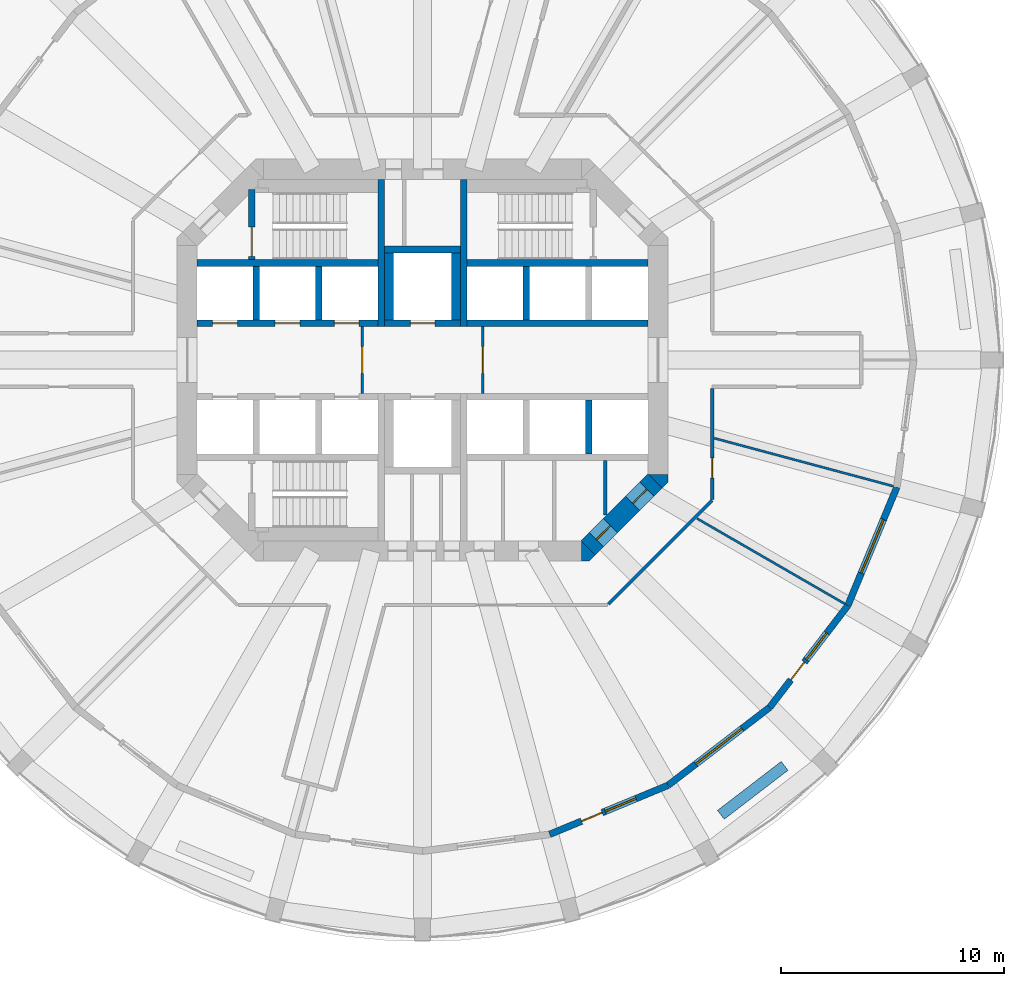
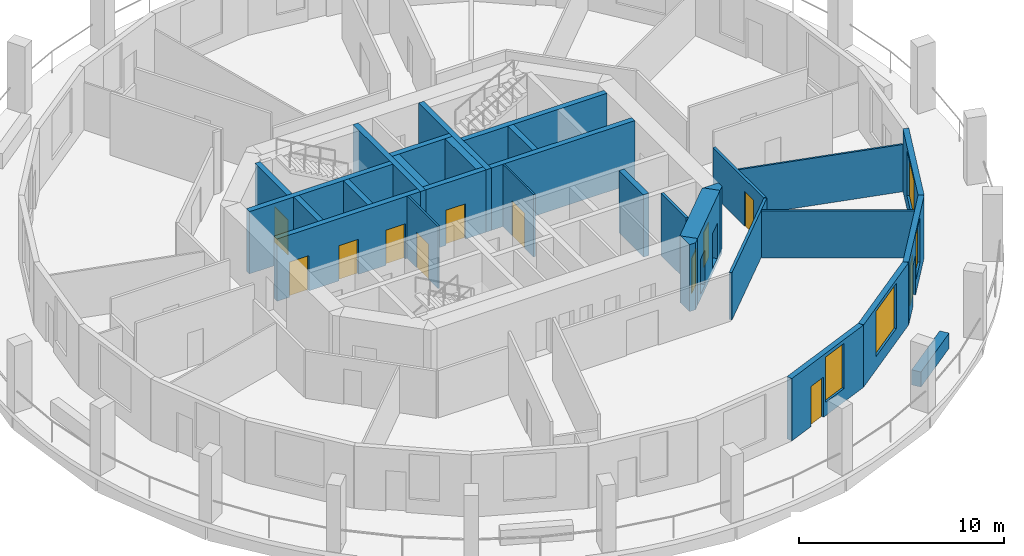
# One storey, part 4 of 9: 30 walls, 12 doors, 4 windows, 16 openings.
"""IFC4 building model written with IfcOpenShell, lengths in metres."""

import ifcopenshell
import ifcopenshell.guid

model = None  # the IFC model being written
_history = None  # IfcOwnerHistory: only IFC2X3 demands one
_inside = {}  # id of a spatial element -> (the spatial element, [elements in it])
_under = {}  # id of a project, library or spatial element -> (it, [spatial elements below it])
_declared = {}  # id of a project -> (the project, [libraries it declares])
_typed = {}  # id of a type object -> (the type object, [elements of that type])
_made_of = {}  # id of a material, layer set ... -> (it, [elements and type objects made of it])


def new_model(schema):
    """Start an empty IFC model of exactly this schema.

    Asked for "IFC4X3", IfcOpenShell would pick the latest addendum, in which some entities
    have other attributes; the version numbers below select the first issue.
    IFC2X3 requires an IfcOwnerHistory on every rooted entity: one is made here for all.
    """
    global model, _history
    if schema == "IFC4X3":
        model = ifcopenshell.file(schema_version=(4, 3, 0, 0))
    else:
        model = ifcopenshell.file(schema=schema)
    _inside.clear()
    _under.clear()
    _declared.clear()
    _typed.clear()
    _made_of.clear()
    _history = None
    if model.schema == "IFC2X3":
        org = make("IfcOrganization", Name="unknown")
        user = make(
            "IfcPersonAndOrganization",
            ThePerson=make("IfcPerson", FamilyName="unknown"),
            TheOrganization=org,
        )
        app = make(
            "IfcApplication",
            ApplicationDeveloper=org,
            Version="unknown",
            ApplicationFullName="unknown",
            ApplicationIdentifier="unknown",
        )
        _history = make(
            "IfcOwnerHistory",
            OwningUser=user,
            OwningApplication=app,
            ChangeAction="ADDED",
            CreationDate=0,
        )
    return model


def make(cls, **values):
    """One entity of the class cls with the attributes given. An attribute that is None is left unset."""
    return model.create_entity(
        cls, **{name: value for name, value in values.items() if value is not None}
    )


def rooted(cls, **values):
    """An entity with a GlobalId (a new one), such as an element, a storey or a relation."""
    return make(cls, GlobalId=ifcopenshell.guid.new(), OwnerHistory=_history, **values)


def si_unit(unit_type, name, prefix=None):
    """IfcSIUnit, for example si_unit("LENGTHUNIT", "METRE", prefix="MILLI")."""
    return make("IfcSIUnit", UnitType=unit_type, Prefix=prefix, Name=name)


def assignment(units):
    """IfcUnitAssignment: the units of a project."""
    return None if units is None else make("IfcUnitAssignment", Units=units)


def point(xyz):
    """IfcCartesianPoint."""
    return None if xyz is None else make("IfcCartesianPoint", Coordinates=xyz)


def direction(xyz):
    """IfcDirection."""
    return None if xyz is None else make("IfcDirection", DirectionRatios=xyz)


def frame(location, z_axis=None, x_axis=None):
    """IfcAxis2Placement3D, a coordinate frame: its origin and axes. An axis left out is left unset."""
    return make(
        "IfcAxis2Placement3D",
        Location=point(location),
        Axis=direction(z_axis),
        RefDirection=direction(x_axis),
    )


def frame_2d(location, x_axis=None):
    """IfcAxis2Placement2D, a coordinate frame in the plane: its origin and x axis."""
    return make(
        "IfcAxis2Placement2D", Location=point(location), RefDirection=direction(x_axis)
    )


def origin():
    """The frame at (0, 0, 0) with its axes left unset."""
    return frame((0.0, 0.0, 0.0))


def place(relative_to, where):
    """IfcLocalPlacement: puts the frame where relative to a parent placement (None: the world)."""
    return make(
        "IfcLocalPlacement", PlacementRelTo=relative_to, RelativePlacement=where
    )


def context(
    kind, dimensions, precision=None, world=None, true_north=None, identifier=None
):
    """IfcGeometricRepresentationContext, for example the 3D "Model" context."""
    return make(
        "IfcGeometricRepresentationContext",
        ContextIdentifier=identifier,
        ContextType=kind,
        CoordinateSpaceDimension=dimensions,
        Precision=precision,
        WorldCoordinateSystem=world,
        TrueNorth=true_north,
    )


def subcontext(parent, identifier, kind, view, scale=None):
    """IfcGeometricRepresentationSubContext, for example "Body" below "Model"."""
    return make(
        "IfcGeometricRepresentationSubContext",
        ContextIdentifier=identifier,
        ContextType=kind,
        ParentContext=parent,
        TargetScale=scale,
        TargetView=view,
    )


def project(units=None, contexts=None):
    """IfcProject with its units and contexts."""
    return rooted(
        "IfcProject",
        Name="project",
        RepresentationContexts=contexts,
        UnitsInContext=assignment(units),
    )


def spatial(cls, under=None, at=None, **own):
    """A site, building, storey or space (cls), placed at a placement, below another one or the project."""
    s = rooted(cls, ObjectPlacement=at, **own)
    if under is not None:
        _under.setdefault(under.id(), (under, []))[1].append(s)
    return s


def polyline(points):
    """IfcPolyline through the points."""
    return make("IfcPolyline", Points=[point(p) for p in points])


def profile(cls, at=None, kind="AREA", **sizes):
    """A parametric profile (cls). Its sizes go by their IFC names, for example OverallWidth=200.0."""
    return make(cls, ProfileType=kind, Position=at, **sizes)


def rectangle(**sizes):
    """IfcRectangleProfileDef."""
    return profile("IfcRectangleProfileDef", **sizes)


def outline(outer, holes=None, kind="AREA"):
    """IfcArbitraryClosedProfileDef: a profile drawn as a closed curve; with holes, ...WithVoids."""
    if holes is None:
        return make("IfcArbitraryClosedProfileDef", ProfileType=kind, OuterCurve=outer)
    return make(
        "IfcArbitraryProfileDefWithVoids",
        ProfileType=kind,
        OuterCurve=outer,
        InnerCurves=holes,
    )


def extrude(swept, where, along, depth):
    """IfcExtrudedAreaSolid: the profile swept, set in the frame where, extruded along a direction by depth."""
    return make(
        "IfcExtrudedAreaSolid",
        SweptArea=swept,
        Position=where,
        ExtrudedDirection=direction(along),
        Depth=depth,
    )


def shape(context_of_items, identifier, shape_type, items):
    """IfcShapeRepresentation: the items that make up one representation, for example the "Body"."""
    return make(
        "IfcShapeRepresentation",
        ContextOfItems=context_of_items,
        RepresentationIdentifier=identifier,
        RepresentationType=shape_type,
        Items=items,
    )


def material(Name=None, Category=None):
    """IfcMaterial."""
    return make("IfcMaterial", Name=Name, Category=Category)


def layer(
    of_material, thickness, ventilated=None, Name=None, Category=None, Priority=None
):
    """IfcMaterialLayer: one layer of a wall or slab, of a material (None: an air gap)."""
    return make(
        "IfcMaterialLayer",
        Material=of_material,
        LayerThickness=thickness,
        IsVentilated=ventilated,
        Name=Name,
        Category=Category,
        Priority=Priority,
    )


def layer_set(layers, Name=None):
    """IfcMaterialLayerSet."""
    return make("IfcMaterialLayerSet", MaterialLayers=layers, LayerSetName=Name)


def made_of(thing, what):
    """Note that an element or type object is made of a material, layer set ...; save() writes the relation."""
    if what is not None:
        _made_of.setdefault(what.id(), (what, []))[1].append(thing)
    return thing


def type_object(cls, material=None, **own):
    """A type object (cls), such as IfcWallType, which elements share."""
    return made_of(rooted(cls, **own), material)


def element(
    cls,
    number,
    at=None,
    inside=None,
    cuts=None,
    type_object=None,
    material=None,
    context=None,
    identifier="Body",
    shape_type=None,
    held_by="IfcProductDefinitionShape",
    body=None,
    shapes=None,
    **own,
):
    """One element of the class cls, such as IfcWall. Its Tag is "e" and its number.

    at: its placement. inside: the storey or other place that contains it. cuts: it is an
    opening in that element (IfcRelVoidsElement). A single representation is given by context,
    identifier, shape_type and body (its items); several are given by shapes. held_by: the class
    of the entity that holds the representations. save() writes the other relations.
    """
    e = rooted(cls, Tag="e%d" % number, ObjectPlacement=at, **own)
    if body is not None:
        shapes = [shape(context, identifier, shape_type, body)]
    if shapes is not None:
        e.Representation = make(held_by, Representations=shapes)
    if inside is not None:
        _inside.setdefault(inside.id(), (inside, []))[1].append(e)
    if cuts is not None:
        rooted(
            "IfcRelVoidsElement", RelatingBuildingElement=cuts, RelatedOpeningElement=e
        )
    if type_object is not None:
        _typed.setdefault(type_object.id(), (type_object, []))[1].append(e)
    return made_of(e, material)


def fill(opening, filler):
    """IfcRelFillsElement: the door or window that sits in an opening."""
    return rooted(
        "IfcRelFillsElement",
        RelatingOpeningElement=opening,
        RelatedBuildingElement=filler,
    )


def aggregate(whole, parts):
    """IfcRelAggregates: a whole, such as a stair, and the parts it consists of."""
    return rooted("IfcRelAggregates", RelatingObject=whole, RelatedObjects=parts)


def save(model, path):
    """Write the relations noted so far, then the file.

    IfcRelAggregates (storeys below a building ...), IfcRelContainedInSpatialStructure (elements
    in a storey), IfcRelDefinesByType, IfcRelAssociatesMaterial and IfcRelDeclares: one each for
    every whole, place, type object, material and project.
    """
    for whole, parts in _under.values():
        aggregate(whole, parts)
    for where, things in _inside.values():
        rooted(
            "IfcRelContainedInSpatialStructure",
            RelatedElements=things,
            RelatingStructure=where,
        )
    for kind, things in _typed.values():
        rooted("IfcRelDefinesByType", RelatedObjects=things, RelatingType=kind)
    for what, things in _made_of.values():
        rooted("IfcRelAssociatesMaterial", RelatedObjects=things, RelatingMaterial=what)
    for by, libraries in _declared.values():
        rooted("IfcRelDeclares", RelatingContext=by, RelatedDefinitions=libraries)
    model.write(path)


model = new_model("IFC4")

# Units and contexts
model_context = context("Model", 3, precision=1e-05, world=origin(), true_north=direction((0.0, 1.0)))
body_context = subcontext(model_context, "Body", "Model", "MODEL_VIEW")
ifc_project = project(units=[si_unit("LENGTHUNIT", "METRE"), si_unit("AREAUNIT", "SQUARE_METRE"), si_unit("VOLUMEUNIT", "CUBIC_METRE"), si_unit("PLANEANGLEUNIT", "RADIAN"), si_unit("MASSUNIT", "GRAM", prefix="KILO")], contexts=[model_context])

# Site, building, storey
site_placement = place(None, origin())
site = spatial("IfcSite", under=ifc_project, at=site_placement, CompositionType="ELEMENT")
building_placement = place(site_placement, origin())
building = spatial("IfcBuilding", under=site, at=building_placement, Name="Torre Triforio", CompositionType="ELEMENT")
storey_placement = place(building_placement, frame((0.0, 0.0, 102.60009765625)))
storey = spatial("IfcBuildingStorey", under=building, at=storey_placement, Name="L22", CompositionType="ELEMENT", Elevation=102.60009765625)

# Walls
ifc_material_1 = material(Name="Concrete C60", Category="concrete")
ifc_layer_1 = layer(ifc_material_1, 0.300048828125)
ifc_layer_set_1 = layer_set([ifc_layer_1], Name="Concrete C60")
wall_type_1 = type_object("IfcWallType", Name="Core wall 300 mm C60 EI 120", PredefinedType="SHEAR", material=ifc_layer_set_1)
for number, where, z_axis, x_axis, name in (
    (1, (-1.85009765625, 1.5, 0.0), (0.0, 0.0, 1.0), (0.0, 1.0, 0.0), "Core wall"),
    (2, (1.85009765625, 1.5, 0.0), (0.0, 0.0, 1.0), (0.0, 1.0, 0.0), "Core wall"),
):
    element("IfcWall", number, at=place(storey_placement, frame(where, z_axis=z_axis, x_axis=x_axis)), inside=storey, type_object=wall_type_1, Name=name, PredefinedType="SHEAR", context=body_context, shape_type="SweptSolid", body=[
        extrude(rectangle(XDim=6.60009765625, YDim=0.300048828125, at=frame_2d((3.300048828125, 0.0))), origin(), (0.0, 0.0, 1.0), 3.719970703125),
    ])

# Wall, openings, doors
ifc_layer_2 = layer(ifc_material_1, 0.89990234375)
ifc_layer_set_2 = layer_set([ifc_layer_2], Name="Concrete C60")
wall_type_2 = type_object("IfcWallType", Name="Core wall 900 mm C60 EI 120", PredefinedType="SHEAR", material=ifc_layer_set_2)
wall_1_placement = place(storey_placement, frame((10.418212890625, -5.418212890625, -0.280029296875), z_axis=(0.0, 0.0, 1.0), x_axis=(-0.707106781187, -0.707106781187, 0.0)))
wall_1 = element("IfcWall", 3, at=wall_1_placement, inside=storey, type_object=wall_type_2, Name="Core wall", PredefinedType="SHEAR", context=body_context, shape_type="SweptSolid", body=[
    extrude(rectangle(XDim=4.24267578125, YDim=0.89990234375, at=frame_2d((2.121337890625, 0.0))), origin(), (0.0, 0.0, 1.0), 4.0),
])
opening_1_placement = place(wall_1_placement, frame((2.82275390625, 0.0, 0.280029296875)))
opening_1 = element("IfcOpeningElement", 4, at=opening_1_placement, cuts=wall_1, Name="Opening SE-03", PredefinedType="OPENING", context=body_context, shape_type="SweptSolid", body=[
    extrude(rectangle(XDim=0.89990234375, YDim=2.10009765625, at=frame_2d((0.449951171875, 1.050048828125))), frame((0.0, 0.4599609375, 0.0), z_axis=(0.0, -1.0, 0.0), x_axis=(1.0, 0.0, 0.0)), (0.0, 0.0, 1.0), 0.919921875),
])
opening_2_placement = place(wall_1_placement, frame((0.52001953125, 0.0, 0.280029296875)))
opening_2 = element("IfcOpeningElement", 5, at=opening_2_placement, cuts=wall_1, Name="Opening SE-04", PredefinedType="OPENING", context=body_context, shape_type="SweptSolid", body=[
    extrude(rectangle(XDim=0.89990234375, YDim=2.10009765625, at=frame_2d((0.449951171875, 1.050048828125))), frame((0.0, 0.4599609375, 0.0), z_axis=(0.0, -1.0, 0.0), x_axis=(1.0, 0.0, 0.0)), (0.0, 0.0, 1.0), 0.919921875),
])
ifc_material_2 = material(Name="Hollow metal fire door leaf")
door_type_1 = type_object("IfcDoorType", Name="Room door 900 x 2100 EI 60", OperationType="NOTDEFINED", PredefinedType="DOOR", material=ifc_material_2)
door_1_placement = place(opening_1_placement, origin())
door_1 = element("IfcDoor", 6, at=door_1_placement, inside=storey, type_object=door_type_1, Name="Core door SE-03", OperationType="SINGLE_SWING_RIGHT", OverallHeight=2.10009765625, OverallWidth=0.89990234375, PredefinedType="DOOR", context=body_context, shape_type="SweptSolid", body=[
    extrude(rectangle(XDim=0.89990234375, YDim=2.10009765625, at=frame_2d((0.449951171875, 1.050048828125))), frame((0.0, 0.02490234375, 0.0), z_axis=(0.0, -1.0, 0.0), x_axis=(1.0, 0.0, 0.0)), (0.0, 0.0, 1.0), 0.050048828125),
])
fill(opening_1, door_1)
door_2_placement = place(opening_2_placement, origin())
door_2 = element("IfcDoor", 7, at=door_2_placement, inside=storey, type_object=door_type_1, Name="Core door SE-04", OperationType="SINGLE_SWING_LEFT", OverallHeight=2.10009765625, OverallWidth=0.89990234375, PredefinedType="DOOR", context=body_context, shape_type="SweptSolid", body=[
    extrude(rectangle(XDim=0.89990234375, YDim=2.10009765625, at=frame_2d((0.449951171875, 1.050048828125))), frame((0.0, 0.02490234375, 0.0), z_axis=(0.0, -1.0, 0.0), x_axis=(1.0, 0.0, 0.0)), (0.0, 0.0, 1.0), 0.050048828125),
])
fill(opening_2, door_2)

# Walls
wall_2_placement = place(storey_placement, frame((0.0, 0.0, -0.280029296875)))
element("IfcWall", 8, at=wall_2_placement, inside=storey, type_object=wall_type_2, Name="Core wall", PredefinedType="SHEAR", context=body_context, shape_type="SweptSolid", body=[
    extrude(outline(polyline([(7.472900390625, -9.0), (7.1298828125, -9.0), (7.1298828125, -8.1298828125), (7.736328125, -8.736328125), (7.472900390625, -9.0)])), origin(), (0.0, 0.0, 1.0), 4.0),
])
wall_3_placement = place(storey_placement, frame((0.0, 0.0, -0.280029296875)))
element("IfcWall", 9, at=wall_3_placement, inside=storey, type_object=wall_type_2, Name="Core wall", PredefinedType="SHEAR", context=body_context, shape_type="SweptSolid", body=[
    extrude(outline(polyline([(11.0, -5.472900390625), (10.736328125, -5.736328125), (10.1298828125, -5.1298828125), (11.0, -5.1298828125), (11.0, -5.472900390625)])), origin(), (0.0, 0.0, 1.0), 4.0),
])

# Wall, opening, door
ifc_material_3 = material(Name="Plasterboard on metal studs")
ifc_layer_3 = layer(ifc_material_3, 0.14990234375)
ifc_layer_set_3 = layer_set([ifc_layer_3], Name="Plasterboard on metal studs")
wall_type_3 = type_object("IfcWallType", Name="Corridor and tenancy wall 150 mm EI 60", PredefinedType="PARTITIONING", material=ifc_layer_set_3)
wall_4_placement = place(storey_placement, frame((12.97509765625, -1.27490234375, 0.0), z_axis=(0.0, 0.0, 1.0), x_axis=(0.0, -1.0, 0.0)))
wall_4 = element("IfcWall", 10, at=wall_4_placement, inside=storey, type_object=wall_type_3, Name="Partition 24", PredefinedType="PARTITIONING", context=body_context, shape_type="SweptSolid", body=[
    extrude(rectangle(XDim=4.96337890625, YDim=0.14990234375, at=frame_2d((2.481689453125, 0.0))), origin(), (0.0, 0.0, 1.0), 2.81982421875),
])
opening_3_placement = place(wall_4_placement, frame((3.107421875, 0.0, 0.0)))
opening_3 = element("IfcOpeningElement", 11, at=opening_3_placement, cuts=wall_4, Name="Opening N7-07", PredefinedType="OPENING", context=body_context, shape_type="SweptSolid", body=[
    extrude(rectangle(XDim=0.89990234375, YDim=2.10009765625, at=frame_2d((0.449951171875, 1.050048828125))), frame((0.0, 0.0849609375, 0.0), z_axis=(0.0, -1.0, 0.0), x_axis=(1.0, 0.0, 0.0)), (0.0, 0.0, 1.0), 0.169921875),
])
ifc_material_4 = material(Name="Timber", Category="wood")
door_type_2 = type_object("IfcDoorType", Name="Door 900 x 2100 single leaf EI 30", OperationType="NOTDEFINED", PredefinedType="DOOR", material=ifc_material_4)
door_3_placement = place(opening_3_placement, origin())
door_3 = element("IfcDoor", 12, at=door_3_placement, inside=storey, type_object=door_type_2, Name="Door N7-07", OperationType="SINGLE_SWING_LEFT", OverallHeight=2.10009765625, OverallWidth=0.89990234375, PredefinedType="DOOR", context=body_context, shape_type="SweptSolid", body=[
    extrude(rectangle(XDim=0.89990234375, YDim=2.10009765625, at=frame_2d((0.449951171875, 1.050048828125))), frame((0.0, 0.02490234375, 0.0), z_axis=(0.0, -1.0, 0.0), x_axis=(1.0, 0.0, 0.0)), (0.0, 0.0, 1.0), 0.050048828125),
])
fill(opening_3, door_3)

# Wall
wall_5_placement = place(storey_placement, frame((12.97509765625, -6.291015625, 0.0), z_axis=(0.0, 0.0, 1.0), x_axis=(-0.707125355289, -0.707088206597, 0.0)))
element("IfcWall", 13, at=wall_5_placement, inside=storey, type_object=wall_type_3, Name="Partition 25", PredefinedType="PARTITIONING", context=body_context, shape_type="SweptSolid", body=[
    extrude(rectangle(XDim=6.572021484375, YDim=0.14990234375, at=frame_2d((3.2861328125, 0.0))), origin(), (0.0, 0.0, 1.0), 2.81982421875),
])

# Wall, opening, door
ifc_material_5 = material(Name="Block and board partition")
ifc_layer_4 = layer(ifc_material_5, 0.10009765625)
ifc_layer_set_4 = layer_set([ifc_layer_4], Name="Block and board partition")
wall_type_4 = type_object("IfcWallType", Name="Partition 100 mm EI 120", PredefinedType="PARTITIONING", material=ifc_layer_set_4)
wall_6_placement = place(storey_placement, frame((-2.699951171875, -1.5, 0.0), z_axis=(0.0, 0.0, 1.0), x_axis=(0.0, 1.0, 0.0)))
wall_6 = element("IfcWall", 14, at=wall_6_placement, inside=storey, type_object=wall_type_4, Name="Partition", PredefinedType="PARTITIONING", context=body_context, shape_type="SweptSolid", body=[
    extrude(rectangle(XDim=3.0, YDim=0.10009765625, at=frame_2d((1.5, 0.0))), origin(), (0.0, 0.0, 1.0), 3.719970703125),
])
opening_4_placement = place(wall_6_placement, frame((0.89990234375, 0.0, 0.0)))
opening_4 = element("IfcOpeningElement", 15, at=opening_4_placement, cuts=wall_6, Name="Opening FF-W", PredefinedType="OPENING", context=body_context, shape_type="SweptSolid", body=[
    extrude(rectangle(XDim=1.199951171875, YDim=2.10009765625, at=frame_2d((0.60009765625, 1.050048828125))), frame((0.0, 0.06005859375, 0.0), z_axis=(0.0, -1.0, 0.0), x_axis=(1.0, 0.0, 0.0)), (0.0, 0.0, 1.0), 0.1201171875),
])
door_type_3 = type_object("IfcDoorType", Name="Fire-fighting lobby door 1200 x 2100 EI 60", OperationType="NOTDEFINED", PredefinedType="DOOR", material=ifc_material_2)
door_4_placement = place(opening_4_placement, origin())
door_4 = element("IfcDoor", 16, at=door_4_placement, inside=storey, type_object=door_type_3, Name="Core door FF-W", OperationType="SINGLE_SWING_RIGHT", OverallHeight=2.10009765625, OverallWidth=1.199951171875, PredefinedType="DOOR", context=body_context, shape_type="SweptSolid", body=[
    extrude(rectangle(XDim=1.199951171875, YDim=2.10009765625, at=frame_2d((0.60009765625, 1.050048828125))), frame((0.0, 0.02490234375, 0.0), z_axis=(0.0, -1.0, 0.0), x_axis=(1.0, 0.0, 0.0)), (0.0, 0.0, 1.0), 0.050048828125),
])
fill(opening_4, door_4)

wall_7_placement = place(storey_placement, frame((2.699951171875, -1.5, 0.0), z_axis=(0.0, 0.0, 1.0), x_axis=(0.0, 1.0, 0.0)))
wall_7 = element("IfcWall", 17, at=wall_7_placement, inside=storey, type_object=wall_type_4, Name="Partition", PredefinedType="PARTITIONING", context=body_context, shape_type="SweptSolid", body=[
    extrude(rectangle(XDim=3.0, YDim=0.10009765625, at=frame_2d((1.5, 0.0))), origin(), (0.0, 0.0, 1.0), 3.719970703125),
])
opening_5_placement = place(wall_7_placement, frame((0.89990234375, 0.0, 0.0)))
opening_5 = element("IfcOpeningElement", 18, at=opening_5_placement, cuts=wall_7, Name="Opening FF-E", PredefinedType="OPENING", context=body_context, shape_type="SweptSolid", body=[
    extrude(rectangle(XDim=1.199951171875, YDim=2.10009765625, at=frame_2d((0.60009765625, 1.050048828125))), frame((0.0, 0.06005859375, 0.0), z_axis=(0.0, -1.0, 0.0), x_axis=(1.0, 0.0, 0.0)), (0.0, 0.0, 1.0), 0.1201171875),
])
door_5_placement = place(opening_5_placement, origin())
door_5 = element("IfcDoor", 19, at=door_5_placement, inside=storey, type_object=door_type_3, Name="Core door FF-E", OperationType="SINGLE_SWING_RIGHT", OverallHeight=2.10009765625, OverallWidth=1.199951171875, PredefinedType="DOOR", context=body_context, shape_type="SweptSolid", body=[
    extrude(rectangle(XDim=1.199951171875, YDim=2.10009765625, at=frame_2d((0.60009765625, 1.050048828125))), frame((0.0, 0.02490234375, 0.0), z_axis=(0.0, -1.0, 0.0), x_axis=(1.0, 0.0, 0.0)), (0.0, 0.0, 1.0), 0.050048828125),
])
fill(opening_5, door_5)

# Walls
ifc_layer_5 = layer(ifc_material_3, 0.10009765625)
ifc_layer_set_5 = layer_set([ifc_layer_5], Name="Plasterboard on metal studs")
wall_type_5 = type_object("IfcWallType", Name="Partition 100 mm board on metal studs", PredefinedType="PARTITIONING", material=ifc_layer_set_5)
wall_8_placement = place(storey_placement, frame((12.294189453125, -7.097900390625, 0.0), z_axis=(0.0, 0.0, 1.0), x_axis=(0.866010520791, -0.500025777215, 0.0)))
element("IfcWall", 20, at=wall_8_placement, inside=storey, type_object=wall_type_5, Name="Partition 43", PredefinedType="PARTITIONING", context=body_context, shape_type="SweptSolid", body=[
    extrude(rectangle(XDim=7.640625, YDim=0.10009765625, at=frame_2d((3.8203125, 0.0))), origin(), (0.0, 0.0, 1.0), 2.81982421875),
])
wall_9_placement = place(storey_placement, frame((13.064208984375, -3.50048828125, 0.0), z_axis=(0.0, 0.0, 1.0), x_axis=(0.965920254223, -0.258839839442, 0.0)))
element("IfcWall", 21, at=wall_9_placement, inside=storey, type_object=wall_type_5, Name="Partition 44", PredefinedType="PARTITIONING", context=body_context, shape_type="SweptSolid", body=[
    extrude(rectangle(XDim=8.3115234375, YDim=0.10009765625, at=frame_2d((4.15576171875, 0.0))), origin(), (0.0, 0.0, 1.0), 2.81982421875),
])
ifc_layer_6 = layer(ifc_material_5, 0.14990234375)
ifc_layer_set_6 = layer_set([ifc_layer_6], Name="Block and board partition")
wall_type_6 = type_object("IfcWallType", Name="Partition 150 mm", PredefinedType="PARTITIONING", material=ifc_layer_set_6)
wall_10_placement = place(storey_placement, frame((8.18896484375, -6.93603515625, 0.0), z_axis=(0.0, 0.0, 1.0), x_axis=(0.0, 1.0, 0.0)))
element("IfcWall", 22, at=wall_10_placement, inside=storey, type_object=wall_type_6, Name="Partition", PredefinedType="PARTITIONING", context=body_context, shape_type="SweptSolid", body=[
    extrude(rectangle(XDim=2.43603515625, YDim=0.14990234375, at=frame_2d((1.218017578125, 0.0))), origin(), (0.0, 0.0, 1.0), 3.719970703125),
])
ifc_material_6 = material(Name="Limestone cladding", Category="masonry")
ifc_layer_7 = layer(ifc_material_6, 0.10009765625)
ifc_material_7 = material(Name="Concrete C40", Category="concrete")
ifc_layer_8 = layer(ifc_material_7, 0.39990234375)
ifc_layer_set_7 = layer_set([ifc_layer_7, ifc_layer_8], Name="Limestone cladding / Concrete C40")
wall_type_7 = type_object("IfcWallType", Name="Planter wall 500", PredefinedType="PARAPET", material=ifc_layer_set_7)
wall_11_placement = place(storey_placement, frame((13.364990234375, -20.374267578125, 0.0), z_axis=(0.0, 0.0, 1.0), x_axis=(0.793326845617, 0.608795955984, 0.0)))
element("IfcWall", 23, at=wall_11_placement, inside=storey, type_object=wall_type_7, Name="Planter L22 bay 21", PredefinedType="PARAPET", context=body_context, shape_type="SweptSolid", body=[
    extrude(rectangle(XDim=3.599853515625, YDim=0.5, at=frame_2d((1.7998046875, 0.0))), origin(), (0.0, 0.0, 1.0), 0.89990234375),
])
ifc_layer_9 = layer(ifc_material_1, 0.300048828125)
ifc_layer_set_8 = layer_set([ifc_layer_9], Name="Concrete C60")
wall_type_8 = type_object("IfcWallType", Name="Shaft wall 300 mm C60 EI 120", PredefinedType="SOLIDWALL", material=ifc_layer_set_8)
for number, where, z_axis, x_axis, name in (
    (24, (-10.10009765625, 4.35009765625, 0.0), (0.0, 0.0, 1.0), (1.0, 0.0, 0.0), "Shaft wall"),
    (25, (2.0, 4.35009765625, 0.0), (0.0, 0.0, 1.0), (1.0, 0.0, 0.0), "Shaft wall"),
):
    element("IfcWall", number, at=place(storey_placement, frame(where, z_axis=z_axis, x_axis=x_axis)), inside=storey, type_object=wall_type_8, Name=name, PredefinedType="SOLIDWALL", context=body_context, shape_type="SweptSolid", body=[
        extrude(rectangle(XDim=8.10009765625, YDim=0.300048828125, at=frame_2d((4.050048828125, 0.0))), origin(), (0.0, 0.0, 1.0), 3.719970703125),
    ])

# Wall, openings, doors
wall_12_placement = place(storey_placement, frame((-10.10009765625, 1.64990234375, 0.0), z_axis=(0.0, 0.0, 1.0), x_axis=(1.0, 0.0, 0.0)))
wall_12 = element("IfcWall", 26, at=wall_12_placement, inside=storey, type_object=wall_type_8, Name="Shaft wall", PredefinedType="SOLIDWALL", context=body_context, shape_type="SweptSolid", body=[
    extrude(rectangle(XDim=8.10009765625, YDim=0.300048828125, at=frame_2d((4.050048828125, 0.0))), origin(), (0.0, 0.0, 1.0), 3.719970703125),
])
opening_6_placement = place(wall_12_placement, frame((0.699951171875, 0.0, 0.0)))
opening_6 = element("IfcOpeningElement", 27, at=opening_6_placement, cuts=wall_12, Name="Opening LD", PredefinedType="OPENING", context=body_context, shape_type="SweptSolid", body=[
    extrude(rectangle(XDim=1.10009765625, YDim=2.10009765625, at=frame_2d((0.550048828125, 1.050048828125))), frame((0.0, 0.159912109375, 0.0), z_axis=(0.0, -1.0, 0.0), x_axis=(1.0, 0.0, 0.0)), (0.0, 0.0, 1.0), 0.320068359375),
])
opening_7_placement = place(wall_12_placement, frame((3.5, 0.0, 0.0)))
opening_7 = element("IfcOpeningElement", 28, at=opening_7_placement, cuts=wall_12, Name="Opening LD", PredefinedType="OPENING", context=body_context, shape_type="SweptSolid", body=[
    extrude(rectangle(XDim=1.10009765625, YDim=2.10009765625, at=frame_2d((0.550048828125, 1.050048828125))), frame((0.0, 0.159912109375, 0.0), z_axis=(0.0, -1.0, 0.0), x_axis=(1.0, 0.0, 0.0)), (0.0, 0.0, 1.0), 0.320068359375),
])
opening_8_placement = place(wall_12_placement, frame((6.14990234375, 0.0, 0.0)))
opening_8 = element("IfcOpeningElement", 29, at=opening_8_placement, cuts=wall_12, Name="Opening LD", PredefinedType="OPENING", context=body_context, shape_type="SweptSolid", body=[
    extrude(rectangle(XDim=1.10009765625, YDim=2.10009765625, at=frame_2d((0.550048828125, 1.050048828125))), frame((0.0, 0.159912109375, 0.0), z_axis=(0.0, -1.0, 0.0), x_axis=(1.0, 0.0, 0.0)), (0.0, 0.0, 1.0), 0.320068359375),
])
door_type_4 = type_object("IfcDoorType", Name="Landing door 1100 x 2100 EI 60", OperationType="DOUBLE_DOOR_SLIDING", PredefinedType="DOOR", material=ifc_material_2)
door_6_placement = place(opening_6_placement, origin())
door_6 = element("IfcDoor", 30, at=door_6_placement, inside=storey, type_object=door_type_4, Name="Landing door LR1", OperationType="DOUBLE_DOOR_SLIDING", OverallHeight=2.10009765625, OverallWidth=1.10009765625, PredefinedType="DOOR", context=body_context, shape_type="SweptSolid", body=[
    extrude(rectangle(XDim=1.10009765625, YDim=2.10009765625, at=frame_2d((0.550048828125, 1.050048828125))), frame((0.0, 0.02490234375, 0.0), z_axis=(0.0, -1.0, 0.0), x_axis=(1.0, 0.0, 0.0)), (0.0, 0.0, 1.0), 0.050048828125),
])
fill(opening_6, door_6)
door_7_placement = place(opening_7_placement, origin())
door_7 = element("IfcDoor", 31, at=door_7_placement, inside=storey, type_object=door_type_4, Name="Landing door LR2", OperationType="DOUBLE_DOOR_SLIDING", OverallHeight=2.10009765625, OverallWidth=1.10009765625, PredefinedType="DOOR", context=body_context, shape_type="SweptSolid", body=[
    extrude(rectangle(XDim=1.10009765625, YDim=2.10009765625, at=frame_2d((0.550048828125, 1.050048828125))), frame((0.0, 0.02490234375, 0.0), z_axis=(0.0, -1.0, 0.0), x_axis=(1.0, 0.0, 0.0)), (0.0, 0.0, 1.0), 0.050048828125),
])
fill(opening_7, door_7)
door_8_placement = place(opening_8_placement, origin())
door_8 = element("IfcDoor", 32, at=door_8_placement, inside=storey, type_object=door_type_4, Name="Landing door LR3", OperationType="DOUBLE_DOOR_SLIDING", OverallHeight=2.10009765625, OverallWidth=1.10009765625, PredefinedType="DOOR", context=body_context, shape_type="SweptSolid", body=[
    extrude(rectangle(XDim=1.10009765625, YDim=2.10009765625, at=frame_2d((0.550048828125, 1.050048828125))), frame((0.0, 0.02490234375, 0.0), z_axis=(0.0, -1.0, 0.0), x_axis=(1.0, 0.0, 0.0)), (0.0, 0.0, 1.0), 0.050048828125),
])
fill(opening_8, door_8)

# Walls
wall_13_placement = place(storey_placement, frame((2.0, 1.64990234375, 0.0), z_axis=(0.0, 0.0, 1.0), x_axis=(1.0, 0.0, 0.0)))
element("IfcWall", 33, at=wall_13_placement, inside=storey, type_object=wall_type_8, Name="Shaft wall", PredefinedType="SOLIDWALL", context=body_context, shape_type="SweptSolid", body=[
    extrude(rectangle(XDim=8.10009765625, YDim=0.300048828125, at=frame_2d((4.050048828125, 0.0))), origin(), (0.0, 0.0, 1.0), 3.719970703125),
])
for number, where, z_axis, x_axis, name in (
    (34, (-7.449951171875, 1.800048828125, 0.0), (0.0, 0.0, 1.0), (0.0, 1.0, 0.0), "Shaft wall"),
    (35, (-4.64990234375, 1.800048828125, 0.0), (0.0, 0.0, 1.0), (0.0, 1.0, 0.0), "Shaft wall"),
    (36, (4.64990234375, 1.800048828125, 0.0), (0.0, 0.0, 1.0), (0.0, 1.0, 0.0), "Shaft wall"),
    (37, (7.449951171875, -4.199951171875, 0.0), (0.0, 0.0, 1.0), (0.0, 1.0, 0.0), "Shaft wall"),
):
    element("IfcWall", number, at=place(storey_placement, frame(where, z_axis=z_axis, x_axis=x_axis)), inside=storey, type_object=wall_type_8, Name=name, PredefinedType="SOLIDWALL", context=body_context, shape_type="SweptSolid", body=[
        extrude(rectangle(XDim=2.39990234375, YDim=0.300048828125, at=frame_2d((1.199951171875, 0.0))), origin(), (0.0, 0.0, 1.0), 3.719970703125),
    ])

# Wall, opening, door
wall_14_placement = place(storey_placement, frame((-1.699951171875, 1.64990234375, 0.0), z_axis=(0.0, 0.0, 1.0), x_axis=(1.0, 0.0, 0.0)))
wall_14 = element("IfcWall", 38, at=wall_14_placement, inside=storey, type_object=wall_type_8, Name="Shaft wall", PredefinedType="SOLIDWALL", context=body_context, shape_type="SweptSolid", body=[
    extrude(rectangle(XDim=3.39990234375, YDim=0.300048828125, at=frame_2d((1.699951171875, 0.0))), origin(), (0.0, 0.0, 1.0), 3.719970703125),
])
opening_9_placement = place(wall_14_placement, frame((1.14990234375, 0.0, 0.0)))
opening_9 = element("IfcOpeningElement", 39, at=opening_9_placement, cuts=wall_14, Name="Opening LD", PredefinedType="OPENING", context=body_context, shape_type="SweptSolid", body=[
    extrude(rectangle(XDim=1.10009765625, YDim=2.10009765625, at=frame_2d((0.550048828125, 1.050048828125))), frame((0.0, 0.159912109375, 0.0), z_axis=(0.0, -1.0, 0.0), x_axis=(1.0, 0.0, 0.0)), (0.0, 0.0, 1.0), 0.320068359375),
])
door_9_placement = place(opening_9_placement, origin())
door_9 = element("IfcDoor", 40, at=door_9_placement, inside=storey, type_object=door_type_4, Name="Landing door FFL1", OperationType="DOUBLE_DOOR_SLIDING", OverallHeight=2.10009765625, OverallWidth=1.10009765625, PredefinedType="DOOR", context=body_context, shape_type="SweptSolid", body=[
    extrude(rectangle(XDim=1.10009765625, YDim=2.10009765625, at=frame_2d((0.550048828125, 1.050048828125))), frame((0.0, 0.02490234375, 0.0), z_axis=(0.0, -1.0, 0.0), x_axis=(1.0, 0.0, 0.0)), (0.0, 0.0, 1.0), 0.050048828125),
])
fill(opening_9, door_9)

# Walls
wall_15_placement = place(storey_placement, frame((-1.699951171875, 4.949951171875, 0.0), z_axis=(0.0, 0.0, 1.0), x_axis=(1.0, 0.0, 0.0)))
element("IfcWall", 41, at=wall_15_placement, inside=storey, type_object=wall_type_8, Name="Shaft wall", PredefinedType="SOLIDWALL", context=body_context, shape_type="SweptSolid", body=[
    extrude(rectangle(XDim=3.39990234375, YDim=0.300048828125, at=frame_2d((1.699951171875, 0.0))), origin(), (0.0, 0.0, 1.0), 3.719970703125),
])
ifc_layer_10 = layer(ifc_material_1, 0.39990234375)
ifc_layer_set_9 = layer_set([ifc_layer_10], Name="Concrete C60")
wall_type_9 = type_object("IfcWallType", Name="Shaft wall 400 mm C60 EI 120", PredefinedType="SOLIDWALL", material=ifc_layer_set_9)
for number, where, z_axis, x_axis, name in (
    (42, (-1.5, 1.800048828125, 0.0), (0.0, 0.0, 1.0), (0.0, 1.0, 0.0), "Shaft wall"),
    (43, (1.5, 1.800048828125, 0.0), (0.0, 0.0, 1.0), (0.0, 1.0, 0.0), "Shaft wall"),
):
    element("IfcWall", number, at=place(storey_placement, frame(where, z_axis=z_axis, x_axis=x_axis)), inside=storey, type_object=wall_type_9, Name=name, PredefinedType="SOLIDWALL", context=body_context, shape_type="SweptSolid", body=[
        extrude(rectangle(XDim=3.0, YDim=0.39990234375, at=frame_2d((1.5, 0.0))), origin(), (0.0, 0.0, 1.0), 3.719970703125),
    ])

# Wall, opening, door
ifc_layer_11 = layer(ifc_material_1, 0.300048828125)
ifc_layer_set_10 = layer_set([ifc_layer_11], Name="Concrete C60")
wall_type_10 = type_object("IfcWallType", Name="Stair wall 300 mm C60 EI 120", PredefinedType="SHEAR", material=ifc_layer_set_10)
wall_16_placement = place(storey_placement, frame((-7.64990234375, 4.5, 0.0), z_axis=(0.0, 0.0, 1.0), x_axis=(0.0, 1.0, 0.0)))
wall_16 = element("IfcWall", 44, at=wall_16_placement, inside=storey, type_object=wall_type_10, Name="Stair wall", PredefinedType="SHEAR", context=body_context, shape_type="SweptSolid", body=[
    extrude(rectangle(XDim=3.139892578125, YDim=0.300048828125, at=frame_2d((1.56982421875, 0.0))), origin(), (0.0, 0.0, 1.0), 3.719970703125),
])
opening_10_placement = place(wall_16_placement, frame((0.139892578125, 0.0, 0.0)))
opening_10 = element("IfcOpeningElement", 45, at=opening_10_placement, cuts=wall_16, Name="Opening ST1-STA", PredefinedType="OPENING", context=body_context, shape_type="SweptSolid", body=[
    extrude(rectangle(XDim=1.320068359375, YDim=2.10009765625, at=frame_2d((0.66015625, 1.050048828125))), frame((0.0, 0.159912109375, 0.0), z_axis=(0.0, -1.0, 0.0), x_axis=(1.0, 0.0, 0.0)), (0.0, 0.0, 1.0), 0.320068359375),
])
door_type_5 = type_object("IfcDoorType", Name="Stair door 1320 x 2100 EI 90", OperationType="DOUBLE_DOOR_SINGLE_SWING", PredefinedType="DOOR", material=ifc_material_2)
door_10_placement = place(opening_10_placement, origin())
door_10 = element("IfcDoor", 46, at=door_10_placement, inside=storey, type_object=door_type_5, Name="Core door ST1-ST", OperationType="DOUBLE_DOOR_SINGLE_SWING", OverallHeight=2.10009765625, OverallWidth=1.320068359375, PredefinedType="DOOR", context=body_context, shape_type="SweptSolid", body=[
    extrude(rectangle(XDim=1.320068359375, YDim=2.10009765625, at=frame_2d((0.66015625, 1.050048828125))), frame((0.0, 0.02490234375, 0.0), z_axis=(0.0, -1.0, 0.0), x_axis=(1.0, 0.0, 0.0)), (0.0, 0.0, 1.0), 0.050048828125),
])
fill(opening_10, door_10)

# Wall, openings, door, window
ifc_layer_12 = layer(ifc_material_6, 0.10009765625)
ifc_layer_13 = layer(ifc_material_7, 0.199951171875)
ifc_layer_set_11 = layer_set([ifc_layer_12, ifc_layer_13], Name="Limestone cladding / Concrete C40")
wall_type_11 = type_object("IfcWallType", Name="Stone-faced composite wall 300", PredefinedType="STANDARD", material=ifc_layer_set_11)
wall_17_placement = place(storey_placement, frame((5.694091796875, -21.25048828125, 0.0), z_axis=(0.0, 0.0, 1.0), x_axis=(0.923866055759, 0.382715966503, 0.0)))
wall_17 = element("IfcWall", 47, at=wall_17_placement, inside=storey, type_object=wall_type_11, Name="External wall L22 bay 20", PredefinedType="STANDARD", context=body_context, shape_type="SweptSolid", body=[
    extrude(rectangle(XDim=5.7431640625, YDim=0.300048828125, at=frame_2d((2.87158203125, 0.0))), origin(), (0.0, 0.0, 1.0), 3.719970703125),
])
opening_11_placement = place(wall_17_placement, frame((1.546630859375, 0.0, 0.0)))
opening_11 = element("IfcOpeningElement", 48, at=opening_11_placement, cuts=wall_17, Name="Opening N7-D20", PredefinedType="OPENING", context=body_context, shape_type="SweptSolid", body=[
    extrude(rectangle(XDim=1.0, YDim=2.39990234375, at=frame_2d((0.5, 1.199951171875))), frame((0.0, 0.159912109375, 0.0), z_axis=(0.0, -1.0, 0.0), x_axis=(1.0, 0.0, 0.0)), (0.0, 0.0, 1.0), 0.320068359375),
])
opening_12_placement = place(wall_17_placement, frame((2.696533203125, 0.0, 0.800048828125)))
opening_12 = element("IfcOpeningElement", 49, at=opening_12_placement, cuts=wall_17, Name="Opening N7-W20A", PredefinedType="OPENING", context=body_context, shape_type="SweptSolid", body=[
    extrude(rectangle(XDim=1.5, YDim=2.699951171875, at=frame_2d((0.75, 1.35009765625))), frame((0.0, 0.159912109375, 0.0), z_axis=(0.0, -1.0, 0.0), x_axis=(1.0, 0.0, 0.0)), (0.0, 0.0, 1.0), 0.320068359375),
])
ifc_material_8 = material(Name="Aluminium frame with clear double glazing", Category="aluminium")
door_type_6 = type_object("IfcDoorType", Name="Loggia door 1000 x 2400", OperationType="NOTDEFINED", PredefinedType="DOOR", material=ifc_material_8)
door_11_placement = place(opening_11_placement, origin())
door_11 = element("IfcDoor", 50, at=door_11_placement, inside=storey, type_object=door_type_6, Name="Loggia door L22 bay 20", OperationType="SINGLE_SWING_LEFT", OverallHeight=2.39990234375, OverallWidth=1.0, PredefinedType="DOOR", context=body_context, shape_type="SweptSolid", body=[
    extrude(rectangle(XDim=1.0, YDim=2.39990234375, at=frame_2d((0.5, 1.199951171875))), frame((0.0, 0.02490234375, 0.0), z_axis=(0.0, -1.0, 0.0), x_axis=(1.0, 0.0, 0.0)), (0.0, 0.0, 1.0), 0.050048828125),
])
fill(opening_11, door_11)
window_type_1 = type_object("IfcWindowType", Name="Side window 1500 x 2700", PartitioningType="SINGLE_PANEL", PredefinedType="WINDOW", material=ifc_material_8)
window_1_placement = place(opening_12_placement, origin())
window_1 = element("IfcWindow", 51, at=window_1_placement, inside=storey, type_object=window_type_1, Name="Side window EWN12 L22 bay 20", OverallHeight=2.699951171875, OverallWidth=1.5, PartitioningType="SINGLE_PANEL", PredefinedType="WINDOW", context=body_context, shape_type="SweptSolid", body=[
    extrude(rectangle(XDim=1.5, YDim=2.699951171875, at=frame_2d((0.75, 1.35009765625))), frame((0.0, 0.030029296875, 0.0), z_axis=(0.0, -1.0, 0.0), x_axis=(1.0, 0.0, 0.0)), (0.0, 0.0, 1.0), 0.06005859375),
])
fill(opening_12, window_1)

# Wall, opening, window
wall_18_placement = place(storey_placement, frame((11.0, -19.052490234375, 0.0), z_axis=(0.0, 0.0, 1.0), x_axis=(0.793366142647, 0.608744744291, 0.0)))
wall_18 = element("IfcWall", 52, at=wall_18_placement, inside=storey, type_object=wall_type_11, Name="External wall L22 bay 21", PredefinedType="STANDARD", context=body_context, shape_type="SweptSolid", body=[
    extrude(rectangle(XDim=5.7431640625, YDim=0.300048828125, at=frame_2d((2.87158203125, 0.0))), origin(), (0.0, 0.0, 1.0), 3.719970703125),
])
opening_13_placement = place(wall_18_placement, frame((1.571533203125, 0.0, 0.800048828125)))
opening_13 = element("IfcOpeningElement", 53, at=opening_13_placement, cuts=wall_18, Name="Opening N7-W21", PredefinedType="OPENING", context=body_context, shape_type="SweptSolid", body=[
    extrude(rectangle(XDim=2.60009765625, YDim=2.699951171875, at=frame_2d((1.300048828125, 1.35009765625))), frame((0.0, 0.159912109375, 0.0), z_axis=(0.0, -1.0, 0.0), x_axis=(1.0, 0.0, 0.0)), (0.0, 0.0, 1.0), 0.320068359375),
])
window_type_2 = type_object("IfcWindowType", Name="Punched window 2600 x 2700", PartitioningType="DOUBLE_PANEL_VERTICAL", PredefinedType="WINDOW", material=ifc_material_8)
window_2_placement = place(opening_13_placement, origin())
window_2 = element("IfcWindow", 54, at=window_2_placement, inside=storey, type_object=window_type_2, Name="Window EWN2 L22 bay 21", OverallHeight=2.699951171875, OverallWidth=2.60009765625, PartitioningType="SINGLE_PANEL", PredefinedType="WINDOW", context=body_context, shape_type="SweptSolid", body=[
    extrude(rectangle(XDim=2.60009765625, YDim=2.699951171875, at=frame_2d((1.300048828125, 1.35009765625))), frame((0.0, 0.030029296875, 0.0), z_axis=(0.0, -1.0, 0.0), x_axis=(1.0, 0.0, 0.0)), (0.0, 0.0, 1.0), 0.06005859375),
])
fill(opening_13, window_2)

# Wall, openings, door, window
wall_19_placement = place(storey_placement, frame((15.556396484375, -15.556396484375, 0.0), z_axis=(0.0, 0.0, 1.0), x_axis=(0.608744744291, 0.793366142647, 0.0)))
wall_19 = element("IfcWall", 55, at=wall_19_placement, inside=storey, type_object=wall_type_11, Name="External wall L22 bay 22", PredefinedType="STANDARD", context=body_context, shape_type="SweptSolid", body=[
    extrude(rectangle(XDim=5.7431640625, YDim=0.300048828125, at=frame_2d((2.87158203125, 0.0))), origin(), (0.0, 0.0, 1.0), 3.719970703125),
])
opening_14_placement = place(wall_19_placement, frame((1.546630859375, 0.0, 0.0)))
opening_14 = element("IfcOpeningElement", 56, at=opening_14_placement, cuts=wall_19, Name="Opening N7-D22", PredefinedType="OPENING", context=body_context, shape_type="SweptSolid", body=[
    extrude(rectangle(XDim=1.0, YDim=2.39990234375, at=frame_2d((0.5, 1.199951171875))), frame((0.0, 0.159912109375, 0.0), z_axis=(0.0, -1.0, 0.0), x_axis=(1.0, 0.0, 0.0)), (0.0, 0.0, 1.0), 0.320068359375),
])
opening_15_placement = place(wall_19_placement, frame((2.696533203125, 0.0, 0.800048828125)))
opening_15 = element("IfcOpeningElement", 57, at=opening_15_placement, cuts=wall_19, Name="Opening N7-W22A", PredefinedType="OPENING", context=body_context, shape_type="SweptSolid", body=[
    extrude(rectangle(XDim=1.5, YDim=2.699951171875, at=frame_2d((0.75, 1.35009765625))), frame((0.0, 0.159912109375, 0.0), z_axis=(0.0, -1.0, 0.0), x_axis=(1.0, 0.0, 0.0)), (0.0, 0.0, 1.0), 0.320068359375),
])
door_12_placement = place(opening_14_placement, origin())
door_12 = element("IfcDoor", 58, at=door_12_placement, inside=storey, type_object=door_type_6, Name="Loggia door L22 bay 22", OperationType="SINGLE_SWING_LEFT", OverallHeight=2.39990234375, OverallWidth=1.0, PredefinedType="DOOR", context=body_context, shape_type="SweptSolid", body=[
    extrude(rectangle(XDim=1.0, YDim=2.39990234375, at=frame_2d((0.5, 1.199951171875))), frame((0.0, 0.02490234375, 0.0), z_axis=(0.0, -1.0, 0.0), x_axis=(1.0, 0.0, 0.0)), (0.0, 0.0, 1.0), 0.050048828125),
])
fill(opening_14, door_12)
window_3_placement = place(opening_15_placement, origin())
window_3 = element("IfcWindow", 59, at=window_3_placement, inside=storey, type_object=window_type_1, Name="Side window EWN12 L22 bay 22", OverallHeight=2.699951171875, OverallWidth=1.5, PartitioningType="SINGLE_PANEL", PredefinedType="WINDOW", context=body_context, shape_type="SweptSolid", body=[
    extrude(rectangle(XDim=1.5, YDim=2.699951171875, at=frame_2d((0.75, 1.35009765625))), frame((0.0, 0.030029296875, 0.0), z_axis=(0.0, -1.0, 0.0), x_axis=(1.0, 0.0, 0.0)), (0.0, 0.0, 1.0), 0.06005859375),
])
fill(opening_15, window_3)

# Wall, opening, window
wall_20_placement = place(storey_placement, frame((19.052490234375, -11.0, 0.0), z_axis=(0.0, 0.0, 1.0), x_axis=(0.382715966503, 0.923866055759, 0.0)))
wall_20 = element("IfcWall", 60, at=wall_20_placement, inside=storey, type_object=wall_type_11, Name="External wall L22 bay 23", PredefinedType="STANDARD", context=body_context, shape_type="SweptSolid", body=[
    extrude(rectangle(XDim=5.7431640625, YDim=0.300048828125, at=frame_2d((2.87158203125, 0.0))), origin(), (0.0, 0.0, 1.0), 3.719970703125),
])
opening_16_placement = place(wall_20_placement, frame((1.571533203125, 0.0, 0.800048828125)))
opening_16 = element("IfcOpeningElement", 61, at=opening_16_placement, cuts=wall_20, Name="Opening N7-W23", PredefinedType="OPENING", context=body_context, shape_type="SweptSolid", body=[
    extrude(rectangle(XDim=2.60009765625, YDim=2.699951171875, at=frame_2d((1.300048828125, 1.35009765625))), frame((0.0, 0.159912109375, 0.0), z_axis=(0.0, -1.0, 0.0), x_axis=(1.0, 0.0, 0.0)), (0.0, 0.0, 1.0), 0.320068359375),
])
window_4_placement = place(opening_16_placement, origin())
window_4 = element("IfcWindow", 62, at=window_4_placement, inside=storey, type_object=window_type_2, Name="Window EWN2 L22 bay 23", OverallHeight=2.699951171875, OverallWidth=2.60009765625, PartitioningType="SINGLE_PANEL", PredefinedType="WINDOW", context=body_context, shape_type="SweptSolid", body=[
    extrude(rectangle(XDim=2.60009765625, YDim=2.699951171875, at=frame_2d((1.300048828125, 1.35009765625))), frame((0.0, 0.030029296875, 0.0), z_axis=(0.0, -1.0, 0.0), x_axis=(1.0, 0.0, 0.0)), (0.0, 0.0, 1.0), 0.06005859375),
])
fill(opening_16, window_4)

save(model, "model.ifc")
